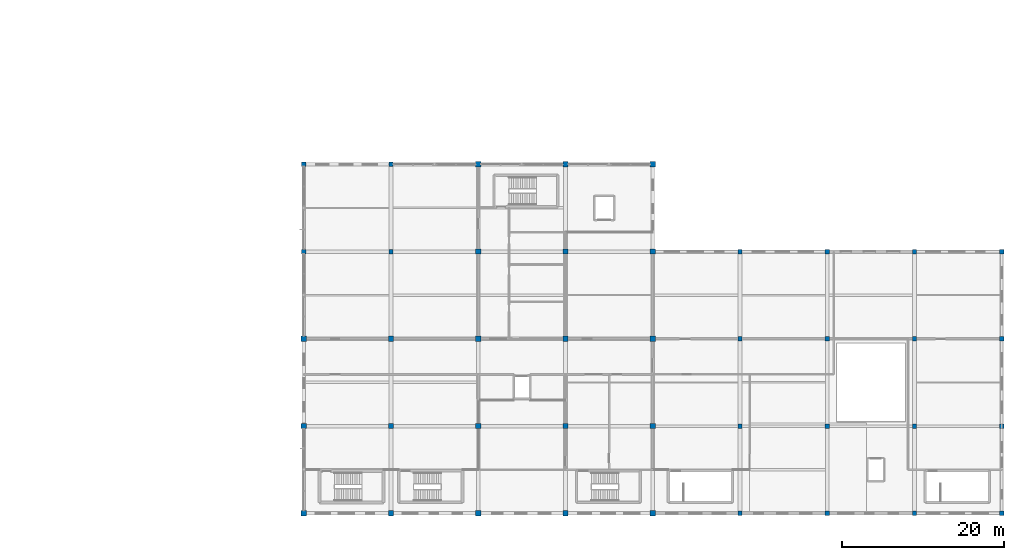
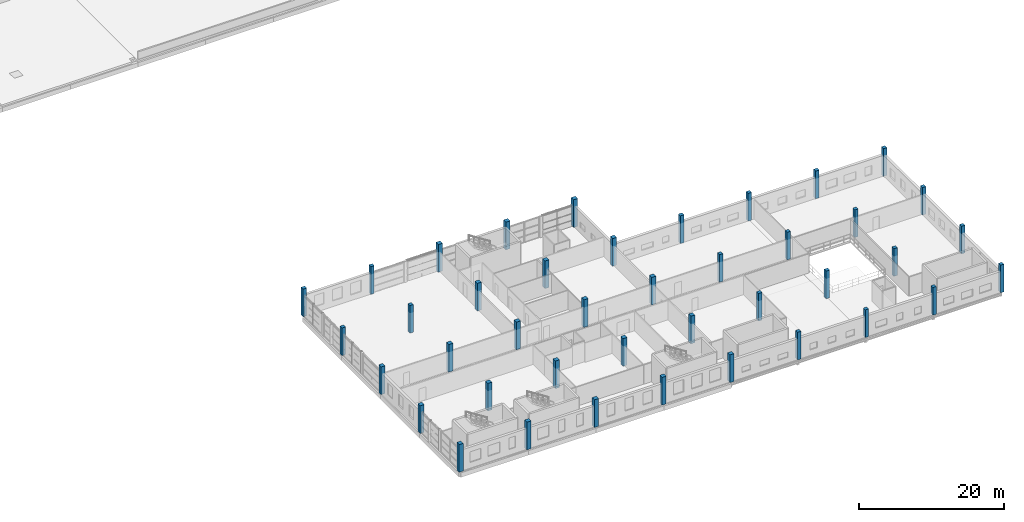
# One storey, part 1 of 24: 41 columns.
"""IFC4 building model written with IfcOpenShell, lengths in metres."""

from ifc_helpers import new_model, si_unit, direction, frame, origin, origin_2d, place, context, subcontext, project, spatial, rectangle, extrude, material, material_profile, profile_set, type_object, element, save


model = new_model("IFC4")

# Units and contexts
model_context = context("Model", 3, precision=1e-05, world=origin(), true_north=direction((0.0, 1.0)))
body_context = subcontext(model_context, "Body", "Model", "MODEL_VIEW")
ifc_project = project(units=[si_unit("LENGTHUNIT", "METRE"), si_unit("AREAUNIT", "SQUARE_METRE"), si_unit("VOLUMEUNIT", "CUBIC_METRE"), si_unit("PLANEANGLEUNIT", "RADIAN"), si_unit("MASSUNIT", "GRAM", prefix="KILO")], contexts=[model_context])

# Site, building, storey
site_placement = place(None, origin())
site = spatial("IfcSite", under=ifc_project, at=site_placement, CompositionType="ELEMENT")
building_placement = place(site_placement, origin())
building = spatial("IfcBuilding", under=site, at=building_placement, Name="Zwinboog Wholesale Market", CompositionType="ELEMENT")
storey_placement = place(building_placement, frame((0.0, 0.0, 10.080078125)))
storey = spatial("IfcBuildingStorey", under=building, at=storey_placement, Name="L02", CompositionType="ELEMENT", Elevation=10.080078125)

# Columns
ifc_material = material(Name="Precast concrete C45/55", Category="concrete")
ifc_material_profile_1 = material_profile(ifc_material, rectangle(XDim=0.64990234375, YDim=0.64990234375, at=origin_2d()), Name="PC 650x650")
ifc_profile_set_1 = profile_set([ifc_material_profile_1], Name="Precast concrete C45/55")
column_type_1 = type_object("IfcColumnType", Name="CT-03", PredefinedType="COLUMN", material=ifc_profile_set_1)
for number, where, z_axis, x_axis, name in (
    (1, (129.60009765625, 0.0, 0.0), (0.0, 0.0, 1.0), (1.0, 0.0, 0.0), "C-03 (COL-L02-0263)"),
    (2, (129.60009765625, 10.800048828125, 0.0), (0.0, 0.0, 1.0), (1.0, 0.0, 0.0), "C-03 (COL-L02-0267)"),
    (3, (129.60009765625, 21.60009765625, 0.0), (0.0, 0.0, 1.0), (1.0, 0.0, 0.0), "C-03 (COL-L02-0271)"),
    (4, (140.39990234375, 0.0, 0.0), (0.0, 0.0, 1.0), (1.0, 0.0, 0.0), "C-03 (COL-L02-0295)"),
    (5, (140.39990234375, 10.800048828125, 0.0), (0.0, 0.0, 1.0), (1.0, 0.0, 0.0), "C-03 (COL-L02-0299)"),
    (6, (140.39990234375, 21.60009765625, 0.0), (0.0, 0.0, 1.0), (1.0, 0.0, 0.0), "C-03 (COL-L02-0303)"),
    (7, (151.199951171875, 0.0, 0.0), (0.0, 0.0, 1.0), (1.0, 0.0, 0.0), "C-03 (COL-L02-0327)"),
    (8, (151.199951171875, 10.800048828125, 0.0), (0.0, 0.0, 1.0), (1.0, 0.0, 0.0), "C-03 (COL-L02-0331)"),
    (9, (151.199951171875, 21.60009765625, 0.0), (0.0, 0.0, 1.0), (1.0, 0.0, 0.0), "C-03 (COL-L02-0335)"),
    (10, (151.199951171875, 32.39990234375, 0.0), (0.0, 0.0, 1.0), (1.0, 0.0, 0.0), "C-03 (COL-L02-0339)"),
    (11, (151.199951171875, 43.199951171875, 0.0), (0.0, 0.0, 1.0), (1.0, 0.0, 0.0), "C-03 (COL-L02-0343)"),
    (12, (162.0, 0.0, 0.0), (0.0, 0.0, 1.0), (1.0, 0.0, 0.0), "C-03 (COL-L02-0363)"),
    (13, (162.0, 10.800048828125, 0.0), (0.0, 0.0, 1.0), (1.0, 0.0, 0.0), "C-03 (COL-L02-0367)"),
    (14, (162.0, 21.60009765625, 0.0), (0.0, 0.0, 1.0), (1.0, 0.0, 0.0), "C-03 (COL-L02-0371)"),
    (15, (162.0, 32.39990234375, 0.0), (0.0, 0.0, 1.0), (1.0, 0.0, 0.0), "C-03 (COL-L02-0375)"),
    (16, (162.0, 43.199951171875, 0.0), (0.0, 0.0, 1.0), (1.0, 0.0, 0.0), "C-03 (COL-L02-0379)"),
    (17, (172.800048828125, 0.0, 0.0), (0.0, 0.0, 1.0), (1.0, 0.0, 0.0), "C-03 (COL-L02-0399)"),
    (18, (172.800048828125, 10.800048828125, 0.0), (0.0, 0.0, 1.0), (1.0, 0.0, 0.0), "C-03 (COL-L02-0403)"),
    (19, (172.800048828125, 21.60009765625, 0.0), (0.0, 0.0, 1.0), (1.0, 0.0, 0.0), "C-03 (COL-L02-0407)"),
    (20, (172.800048828125, 32.39990234375, 0.0), (0.0, 0.0, 1.0), (1.0, 0.0, 0.0), "C-03 (COL-L02-0411)"),
    (21, (172.800048828125, 43.199951171875, 0.0), (0.0, 0.0, 1.0), (1.0, 0.0, 0.0), "C-03 (COL-L02-0415)"),
):
    element("IfcColumn", number, at=place(storey_placement, frame(where, z_axis=z_axis, x_axis=x_axis)), inside=storey, type_object=column_type_1, Name=name, PredefinedType="COLUMN", context=body_context, shape_type="SweptSolid", body=[
        extrude(rectangle(XDim=0.64990234375, YDim=0.64990234375, at=origin_2d()), origin(), (0.0, 0.0, 1.0), 4.679931640625),
    ])
ifc_material_profile_2 = material_profile(ifc_material, rectangle(XDim=0.550048828125, YDim=0.550048828125, at=origin_2d()), Name="PC 550x550")
ifc_profile_set_2 = profile_set([ifc_material_profile_2], Name="Precast concrete C45/55")
column_type_2 = type_object("IfcColumnType", Name="CT-05", PredefinedType="COLUMN", material=ifc_profile_set_2)
for number, where, z_axis, x_axis, name in (
    (22, (129.60009765625, 32.39990234375, 0.0), (0.0, 0.0, 1.0), (1.0, 0.0, 0.0), "C-05 (COL-L02-0275)"),
    (23, (129.60009765625, 43.199951171875, 0.0), (0.0, 0.0, 1.0), (1.0, 0.0, 0.0), "C-05 (COL-L02-0278)"),
    (24, (140.39990234375, 32.39990234375, 0.0), (0.0, 0.0, 1.0), (1.0, 0.0, 0.0), "C-05 (COL-L02-0307)"),
    (25, (140.39990234375, 43.199951171875, 0.0), (0.0, 0.0, 1.0), (1.0, 0.0, 0.0), "C-05 (COL-L02-0310)"),
    (26, (183.60009765625, 0.0, 0.0), (0.0, 0.0, 1.0), (1.0, 0.0, 0.0), "C-05 (COL-L02-0435)"),
    (27, (183.60009765625, 10.800048828125, 0.0), (0.0, 0.0, 1.0), (1.0, 0.0, 0.0), "C-05 (COL-L02-0438)"),
    (28, (183.60009765625, 21.60009765625, 0.0), (0.0, 0.0, 1.0), (1.0, 0.0, 0.0), "C-05 (COL-L02-0441)"),
    (29, (183.60009765625, 32.39990234375, 0.0), (0.0, 0.0, 1.0), (1.0, 0.0, 0.0), "C-05 (COL-L02-0444)"),
    (30, (194.39990234375, 0.0, 0.0), (0.0, 0.0, 1.0), (1.0, 0.0, 0.0), "C-05 (COL-L02-0459)"),
    (31, (194.39990234375, 10.800048828125, 0.0), (0.0, 0.0, 1.0), (1.0, 0.0, 0.0), "C-05 (COL-L02-0462)"),
    (32, (194.39990234375, 21.60009765625, 0.0), (0.0, 0.0, 1.0), (1.0, 0.0, 0.0), "C-05 (COL-L02-0465)"),
    (33, (194.39990234375, 32.39990234375, 0.0), (0.0, 0.0, 1.0), (1.0, 0.0, 0.0), "C-05 (COL-L02-0468)"),
    (34, (205.199951171875, 0.0, 0.0), (0.0, 0.0, 1.0), (1.0, 0.0, 0.0), "C-05 (COL-L02-0478)"),
    (35, (205.199951171875, 10.800048828125, 0.0), (0.0, 0.0, 1.0), (1.0, 0.0, 0.0), "C-05 (COL-L02-0481)"),
    (36, (205.199951171875, 21.60009765625, 0.0), (0.0, 0.0, 1.0), (1.0, 0.0, 0.0), "C-05 (COL-L02-0484)"),
    (37, (205.199951171875, 32.39990234375, 0.0), (0.0, 0.0, 1.0), (1.0, 0.0, 0.0), "C-05 (COL-L02-0487)"),
    (38, (216.0, 0.0, 0.0), (0.0, 0.0, 1.0), (1.0, 0.0, 0.0), "C-05 (COL-L02-0497)"),
    (39, (216.0, 10.800048828125, 0.0), (0.0, 0.0, 1.0), (1.0, 0.0, 0.0), "C-05 (COL-L02-0500)"),
    (40, (216.0, 21.60009765625, 0.0), (0.0, 0.0, 1.0), (1.0, 0.0, 0.0), "C-05 (COL-L02-0503)"),
    (41, (216.0, 32.39990234375, 0.0), (0.0, 0.0, 1.0), (1.0, 0.0, 0.0), "C-05 (COL-L02-0506)"),
):
    element("IfcColumn", number, at=place(storey_placement, frame(where, z_axis=z_axis, x_axis=x_axis)), inside=storey, type_object=column_type_2, Name=name, PredefinedType="COLUMN", context=body_context, shape_type="SweptSolid", body=[
        extrude(rectangle(XDim=0.550048828125, YDim=0.550048828125, at=origin_2d()), origin(), (0.0, 0.0, 1.0), 4.679931640625),
    ])

save(model, "model.ifc")
